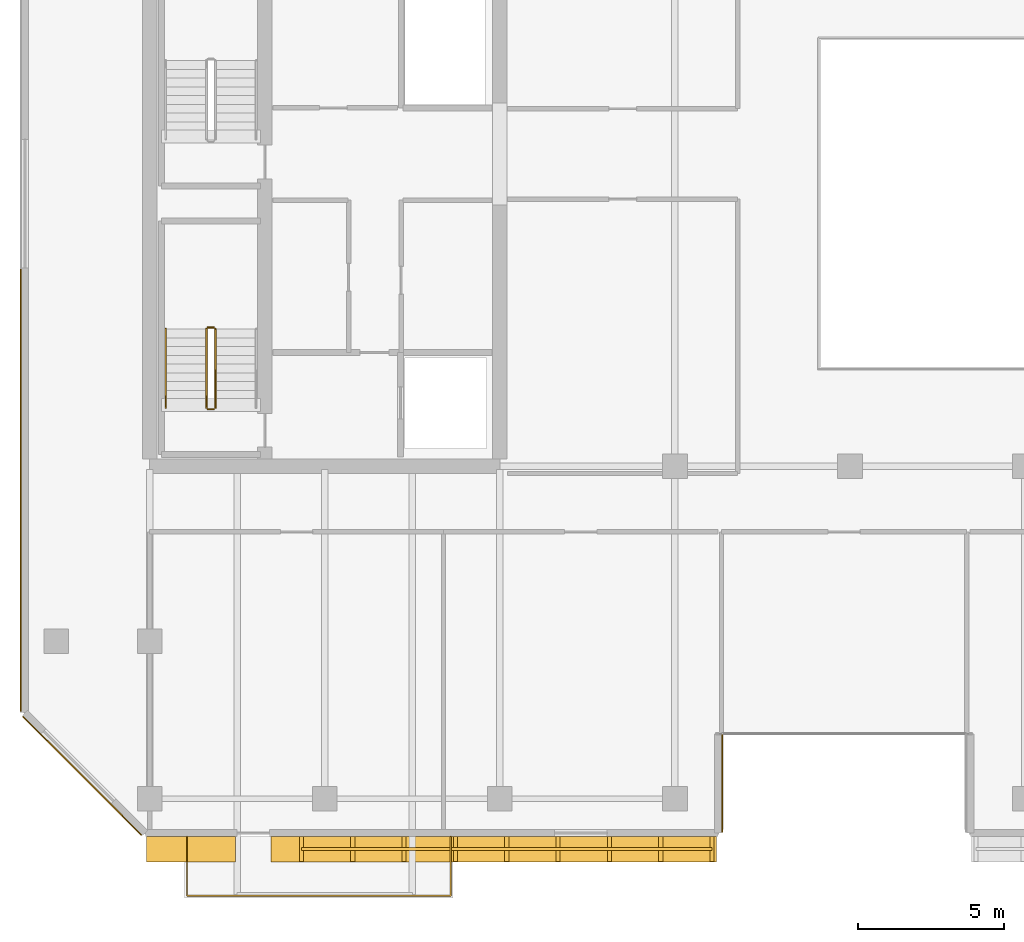
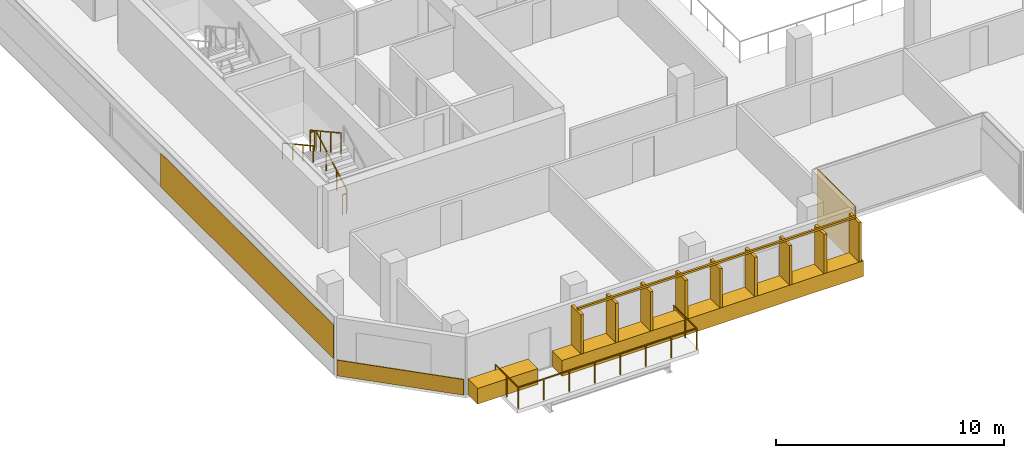
# One storey, part 15 of 19: 7 railings, 5 coverings.
"""IFC4 building model written with IfcOpenShell, lengths in metres."""

from ifc_helpers import new_model, si_unit, direction, frame, origin, origin_2d, place, context, subcontext, project, spatial, rectangle, extrude, material, layer, layer_set, type_object, element, save


model = new_model("IFC4")

# Units and contexts
model_context = context("Model", 3, precision=1e-05, world=origin(), true_north=direction((0.0, 1.0)))
body_context = subcontext(model_context, "Body", "Model", "MODEL_VIEW")
ifc_project = project(units=[si_unit("LENGTHUNIT", "METRE"), si_unit("AREAUNIT", "SQUARE_METRE"), si_unit("VOLUMEUNIT", "CUBIC_METRE"), si_unit("PLANEANGLEUNIT", "RADIAN"), si_unit("MASSUNIT", "GRAM", prefix="KILO")], contexts=[model_context])

# Site, building, storey
site_placement = place(None, origin())
site = spatial("IfcSite", under=ifc_project, at=site_placement, CompositionType="ELEMENT")
building_placement = place(site_placement, origin())
building = spatial("IfcBuilding", under=site, at=building_placement, Name="Tanjung Sevakor Pilgrim Tower", CompositionType="ELEMENT")
storey_placement = place(building_placement, frame((0.0, 0.0, 155.10009765625)))
storey = spatial("IfcBuildingStorey", under=building, at=storey_placement, Name="L43", CompositionType="ELEMENT", Elevation=155.10009765625)

# Coverings
ifc_material_1 = material(Name="Reconstructed Limestone Cladding", Category="masonry")
ifc_layer = layer(ifc_material_1, 0.044921875)
ifc_layer_set = layer_set([ifc_layer], Name="COV-CLAD-LIMESTONE")
covering_type = type_object("IfcCoveringType", Name="COV-CLAD-LIMESTONE", PredefinedType="CLADDING", material=ifc_layer_set)
covering_1_placement = place(storey_placement, frame((25.416015625, 11.469970703125, 0.009765625), z_axis=(0.0, 0.0, 1.0), x_axis=(1.0, 0.0, 0.0)))
element("IfcCovering", 1, at=covering_1_placement, inside=storey, type_object=covering_type, Name="L43 Warm Limestone Sill Spandrel EW-L43-MAIN-1-1", PredefinedType="CLADDING", context=body_context, shape_type="SweptSolid", body=[
    extrude(rectangle(XDim=3.048095703125, YDim=0.860107421875, at=origin_2d()), origin(), (0.0, 0.0, 1.0), 0.840087890625),
])
covering_2_placement = place(storey_placement, frame((35.797607421875, 11.469970703125, 0.009765625), z_axis=(0.0, 0.0, 1.0), x_axis=(1.0, 0.0, 0.0)))
element("IfcCovering", 2, at=covering_2_placement, inside=storey, type_object=covering_type, Name="L43 Warm Limestone Sill Spandrel EW-L43-MAIN-1-2", PredefinedType="CLADDING", context=body_context, shape_type="SweptSolid", body=[
    extrude(rectangle(XDim=15.27490234375, YDim=0.860107421875, at=origin_2d()), origin(), (0.0, 0.0, 1.0), 0.840087890625),
])
covering_3_placement = place(storey_placement, frame((43.62255859375, 13.72509765625, 0.019775390625), z_axis=(0.0, 0.0, 1.0), x_axis=(0.0, 1.0, 0.0)))
element("IfcCovering", 3, at=covering_3_placement, inside=storey, type_object=covering_type, Name="L43 Warm Limestone Wall Cladding EW-L43-MAIN-2", PredefinedType="CLADDING", context=body_context, shape_type="SweptSolid", body=[
    extrude(rectangle(XDim=3.360107421875, YDim=0.044921875, at=origin_2d()), origin(), (0.0, 0.0, 1.0), 3.0400390625),
])
covering_4_placement = place(storey_placement, frame((19.577392578125, 23.77099609375, 0.849853515625), z_axis=(0.0, 0.0, 1.0), x_axis=(0.0, -1.0, 0.0)))
element("IfcCovering", 4, at=covering_4_placement, inside=storey, type_object=covering_type, Name="L43 Warm Limestone Pier Panel EW-L43-MAIN-15-2", PredefinedType="CLADDING", context=body_context, shape_type="SweptSolid", body=[
    extrude(rectangle(XDim=15.158203125, YDim=0.044921875, at=origin_2d()), origin(), (0.0, 0.0, 1.0), 1.81005859375),
])
covering_5_placement = place(storey_placement, frame((21.68408203125, 13.984130859375, 0.009765625), z_axis=(0.0, 0.0, 1.0), x_axis=(0.707106781187, -0.707106781187, 0.0)))
element("IfcCovering", 5, at=covering_5_placement, inside=storey, type_object=covering_type, Name="L43 Warm Limestone Sill Spandrel EW-CHM-L43-MAIN-15-1", PredefinedType="CLADDING", context=body_context, shape_type="SweptSolid", body=[
    extrude(rectangle(XDim=5.756103515625, YDim=0.044921875, at=origin_2d()), origin(), (0.0, 0.0, 1.0), 0.840087890625),
])

# Railings
ifc_material_2 = material(Name="Laminated Glass and Aluminium", Category="aluminium")
railing_type_1 = type_object("IfcRailingType", Name="RL-BAL-BALUST", PredefinedType="BALUSTRADE", material=ifc_material_2)
railing_1_placement = place(storey_placement, frame((25.280029296875, 11.89990234375, 0.0)))
element("IfcRailing", 6, at=railing_1_placement, inside=storey, type_object=railing_type_1, Name="L43 Loggia Balustrade MAIN-S1", PredefinedType="BALUSTRADE", context=body_context, shape_type="SweptSolid", body=[
    extrude(rectangle(XDim=0.0479, YDim=0.0479), frame((0.0, 0.0, 1.1259765625), z_axis=(0.0, -1.0, 0.0), x_axis=(1.0, 0.0, 0.0)), (0.0, 0.0, 1.0), 2.02001953125),
    extrude(rectangle(XDim=0.0479, YDim=0.0479), frame((0.0, -2.02001953125, 1.1259765625), z_axis=(1.0, 0.0, 0.0), x_axis=(0.0, 1.0, 0.0)), (0.0, 0.0, 1.0), 9.0400390625),
    extrude(rectangle(XDim=0.0479, YDim=0.0479), frame((9.0400390625, -2.02001953125, 1.1259765625), z_axis=(0.0, 1.0, 0.0), x_axis=(-1.0, 0.0, 0.0)), (0.0, 0.0, 1.0), 2.02001953125),
    extrude(rectangle(XDim=0.042, YDim=0.042), origin(), (0.0, 0.0, 1.0), 1.101806640625),
    extrude(rectangle(XDim=0.042, YDim=0.042), frame((0.0, -1.010009765625, 0.0)), (0.0, 0.0, 1.0), 1.101806640625),
    extrude(rectangle(XDim=0.042, YDim=0.042), frame((0.0, -2.02001953125, 0.0)), (0.0, 0.0, 1.0), 1.101806640625),
    extrude(rectangle(XDim=0.042, YDim=0.042), frame((1.29150390625, -2.02001953125, 0.0)), (0.0, 0.0, 1.0), 1.101806640625),
    extrude(rectangle(XDim=0.042, YDim=0.042), frame((2.582763671875, -2.02001953125, 0.0)), (0.0, 0.0, 1.0), 1.101806640625),
    extrude(rectangle(XDim=0.042, YDim=0.042), frame((3.874267578125, -2.02001953125, 0.0)), (0.0, 0.0, 1.0), 1.101806640625),
    extrude(rectangle(XDim=0.042, YDim=0.042), frame((5.165771484375, -2.02001953125, 0.0)), (0.0, 0.0, 1.0), 1.101806640625),
    extrude(rectangle(XDim=0.042, YDim=0.042), frame((6.457275390625, -2.02001953125, 0.0)), (0.0, 0.0, 1.0), 1.101806640625),
    extrude(rectangle(XDim=0.042, YDim=0.042), frame((7.74853515625, -2.02001953125, 0.0)), (0.0, 0.0, 1.0), 1.101806640625),
    extrude(rectangle(XDim=0.042, YDim=0.042), frame((9.0400390625, -2.02001953125, 0.0)), (0.0, 0.0, 1.0), 1.101806640625),
    extrude(rectangle(XDim=0.042, YDim=0.042), frame((9.0400390625, -1.010009765625, 0.0)), (0.0, 0.0, 1.0), 1.101806640625),
    extrude(rectangle(XDim=0.042, YDim=0.042), frame((9.0400390625, 0.0, 0.0)), (0.0, 0.0, 1.0), 1.101806640625),
])
ifc_material_3 = material(Name="Anodised Bronze Aluminium 6063-T6", Category="aluminium")
railing_type_2 = type_object("IfcRailingType", Name="RL-FIN-SCREEN", PredefinedType="BALUSTRADE", material=ifc_material_3)
railing_2_placement = place(storey_placement, frame((29.199951171875, 11.47509765625, 0.83984375)))
element("IfcRailing", 7, at=railing_2_placement, inside=storey, type_object=railing_type_2, Name="L43 Vertical Bronze-Gold Solar Fin Screen FNSCR-EW-L43-MAIN-1-1", PredefinedType="BALUSTRADE", context=body_context, shape_type="SweptSolid", body=[
    extrude(rectangle(XDim=0.105, YDim=0.105), frame((0.0, 0.0, 2.157470703125), z_axis=(1.0, 0.0, 0.0), x_axis=(0.0, 1.0, 0.0)), (0.0, 0.0, 1.0), 14.074951171875),
    extrude(rectangle(XDim=0.14, YDim=0.85), origin(), (0.0, 0.0, 1.0), 2.10498046875),
    extrude(rectangle(XDim=0.14, YDim=0.85), frame((1.75927734375, 0.0, 0.0)), (0.0, 0.0, 1.0), 2.10498046875),
    extrude(rectangle(XDim=0.14, YDim=0.85), frame((3.518798828125, 0.0, 0.0)), (0.0, 0.0, 1.0), 2.10498046875),
    extrude(rectangle(XDim=0.14, YDim=0.85), frame((5.278076171875, 0.0, 0.0)), (0.0, 0.0, 1.0), 2.10498046875),
    extrude(rectangle(XDim=0.14, YDim=0.85), frame((7.03759765625, 0.0, 0.0)), (0.0, 0.0, 1.0), 2.10498046875),
    extrude(rectangle(XDim=0.14, YDim=0.85), frame((8.796875, 0.0, 0.0)), (0.0, 0.0, 1.0), 2.10498046875),
    extrude(rectangle(XDim=0.14, YDim=0.85), frame((10.55615234375, 0.0, 0.0)), (0.0, 0.0, 1.0), 2.10498046875),
    extrude(rectangle(XDim=0.14, YDim=0.85), frame((12.315673828125, 0.0, 0.0)), (0.0, 0.0, 1.0), 2.10498046875),
    extrude(rectangle(XDim=0.14, YDim=0.85), frame((14.074951171875, 0.0, 0.0)), (0.0, 0.0, 1.0), 2.10498046875),
])
ifc_material_4 = material(Name="Steel S355J2", Category="steel")
railing_type_3 = type_object("IfcRailingType", Name="RL-STAIR-GUARD", PredefinedType="GUARDRAIL", material=ifc_material_4)
railing_3_placement = place(storey_placement, frame((26.25, 26.60009765625, 0.164794921875)))
element("IfcRailing", 8, at=railing_3_placement, inside=storey, type_object=railing_type_3, Name="L43 TS-W1 stair guard 1", PredefinedType="GUARDRAIL", context=body_context, shape_type="SweptSolid", body=[
    extrude(rectangle(XDim=0.0479, YDim=0.0479), frame((0.0, 0.0, 1.076171875), z_axis=(0.0, 0.876197507361, 0.481952205197), x_axis=(-1.0, 0.0, 0.0)), (0.0, 0.0, 1.0), 3.08154296875),
    extrude(rectangle(XDim=0.042, YDim=0.042), origin(), (0.0, 0.0, 1.0), 1.052001953125),
    extrude(rectangle(XDim=0.042, YDim=0.042), frame((0.0, 0.89990234375, 0.4951171875)), (0.0, 0.0, 1.0), 1.052001953125),
    extrude(rectangle(XDim=0.042, YDim=0.042), frame((0.0, 1.800048828125, 0.989990234375)), (0.0, 0.0, 1.0), 1.052001953125),
    extrude(rectangle(XDim=0.042, YDim=0.042), frame((0.0, 2.699951171875, 1.485107421875)), (0.0, 0.0, 1.0), 1.052001953125),
])
railing_4_placement = place(storey_placement, frame((26.199951171875, 29.35009765625, 1.64990234375)))
element("IfcRailing", 9, at=railing_4_placement, inside=storey, type_object=railing_type_3, Name="L43 TS-W1 stair guard 2", PredefinedType="GUARDRAIL", context=body_context, shape_type="SweptSolid", body=[
    extrude(rectangle(XDim=0.0479, YDim=0.0479), frame((0.0, 0.0, 1.076171875), z_axis=(-1.0, 0.0, 0.0), x_axis=(0.0, -1.0, 0.0)), (0.0, 0.0, 1.0), 0.199951171875),
    extrude(rectangle(XDim=0.042, YDim=0.042), origin(), (0.0, 0.0, 1.0), 1.052001953125),
    extrude(rectangle(XDim=0.042, YDim=0.042), frame((-0.199951171875, 0.0, 0.0)), (0.0, 0.0, 1.0), 1.052001953125),
])
railing_5_placement = place(storey_placement, frame((25.949951171875, 29.300048828125, 1.81494140625)))
element("IfcRailing", 10, at=railing_5_placement, inside=storey, type_object=railing_type_3, Name="L43 TS-W1 stair guard 3", PredefinedType="GUARDRAIL", context=body_context, shape_type="SweptSolid", body=[
    extrude(rectangle(XDim=0.0479, YDim=0.0479), frame((0.0, 0.0, 1.076171875), z_axis=(0.0, -0.876230963923, 0.481891375584), x_axis=(1.0, 0.0, 0.0)), (0.0, 0.0, 1.0), 3.081298828125),
    extrude(rectangle(XDim=0.042, YDim=0.042), origin(), (0.0, 0.0, 1.0), 1.052001953125),
    extrude(rectangle(XDim=0.042, YDim=0.042), frame((0.0, -0.89990234375, 0.494873046875)), (0.0, 0.0, 1.0), 1.052001953125),
    extrude(rectangle(XDim=0.042, YDim=0.042), frame((0.0, -1.800048828125, 0.989990234375)), (0.0, 0.0, 1.0), 1.052001953125),
    extrude(rectangle(XDim=0.042, YDim=0.042), frame((0.0, -2.699951171875, 1.48486328125)), (0.0, 0.0, 1.0), 1.052001953125),
])
railing_6_placement = place(storey_placement, frame((26.199951171875, 26.550048828125, 0.0)))
element("IfcRailing", 11, at=railing_6_placement, inside=storey, type_object=railing_type_3, Name="L43 TS-W1 stair guard 4", PredefinedType="GUARDRAIL", context=body_context, shape_type="SweptSolid", body=[
    extrude(rectangle(XDim=0.0479, YDim=0.0479), frame((0.0, 0.0, 1.076171875), z_axis=(-1.0, 0.0, 0.0), x_axis=(0.0, -1.0, 0.0)), (0.0, 0.0, 1.0), 0.199951171875),
    extrude(rectangle(XDim=0.042, YDim=0.042), origin(), (0.0, 0.0, 1.0), 1.052001953125),
    extrude(rectangle(XDim=0.042, YDim=0.042), frame((-0.199951171875, 0.0, 0.0)), (0.0, 0.0, 1.0), 1.052001953125),
])
ifc_material_5 = material(Name="Steel S355J2", Category="steel")
railing_type_4 = type_object("IfcRailingType", Name="RL-STAIR-HAND", PredefinedType="HANDRAIL", material=ifc_material_5)
railing_7_placement = place(storey_placement, frame((24.550048828125, 29.300048828125, 1.81494140625)))
element("IfcRailing", 12, at=railing_7_placement, inside=storey, type_object=railing_type_4, Name="L43 TS-W1 stair handrail 2", PredefinedType="HANDRAIL", context=body_context, shape_type="SweptSolid", body=[
    extrude(rectangle(XDim=0.0479, YDim=0.0479), frame((0.0, 0.0, 0.8759765625), z_axis=(0.0, -0.876230963923, 0.481891375584), x_axis=(1.0, 0.0, 0.0)), (0.0, 0.0, 1.0), 3.081298828125),
    extrude(rectangle(XDim=0.042, YDim=0.042), origin(), (0.0, 0.0, 1.0), 0.851806640625),
    extrude(rectangle(XDim=0.042, YDim=0.042), frame((0.0, -0.89990234375, 0.494873046875)), (0.0, 0.0, 1.0), 0.851806640625),
    extrude(rectangle(XDim=0.042, YDim=0.042), frame((0.0, -1.800048828125, 0.989990234375)), (0.0, 0.0, 1.0), 0.851806640625),
    extrude(rectangle(XDim=0.042, YDim=0.042), frame((0.0, -2.699951171875, 1.48486328125)), (0.0, 0.0, 1.0), 0.851806640625),
])

save(model, "model.ifc")
